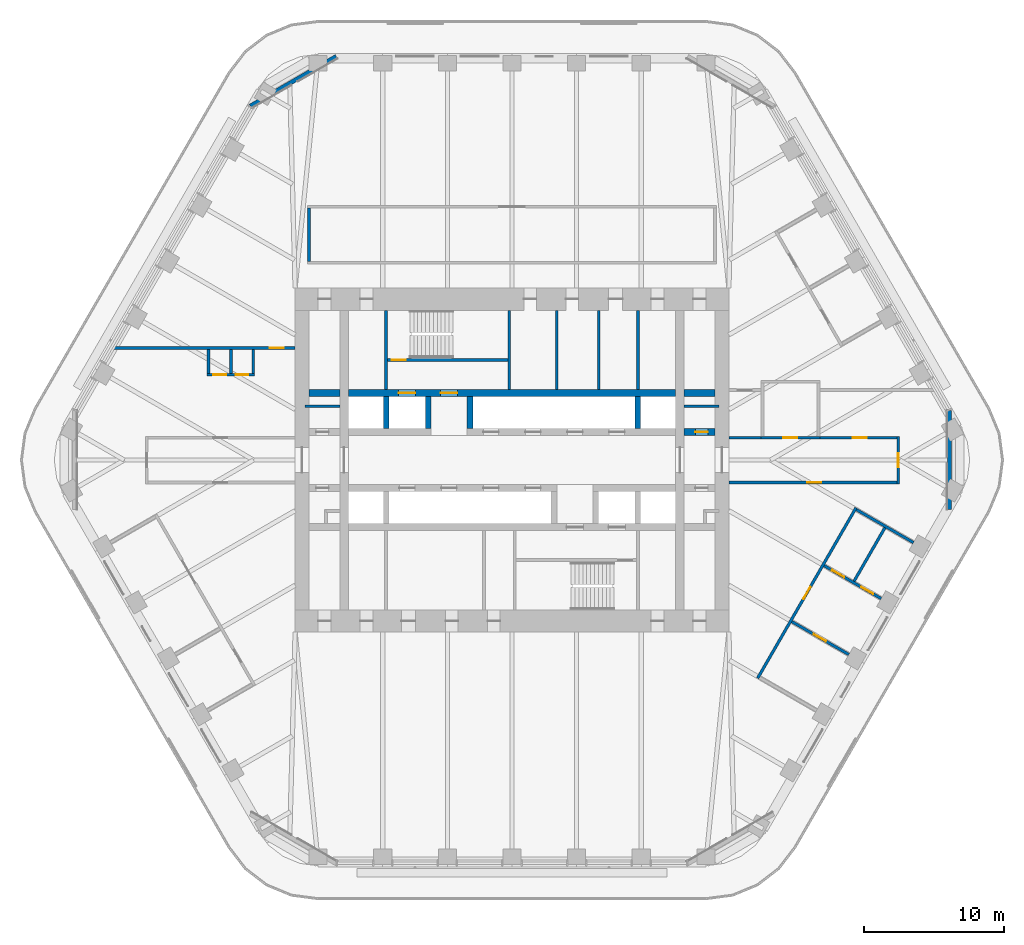
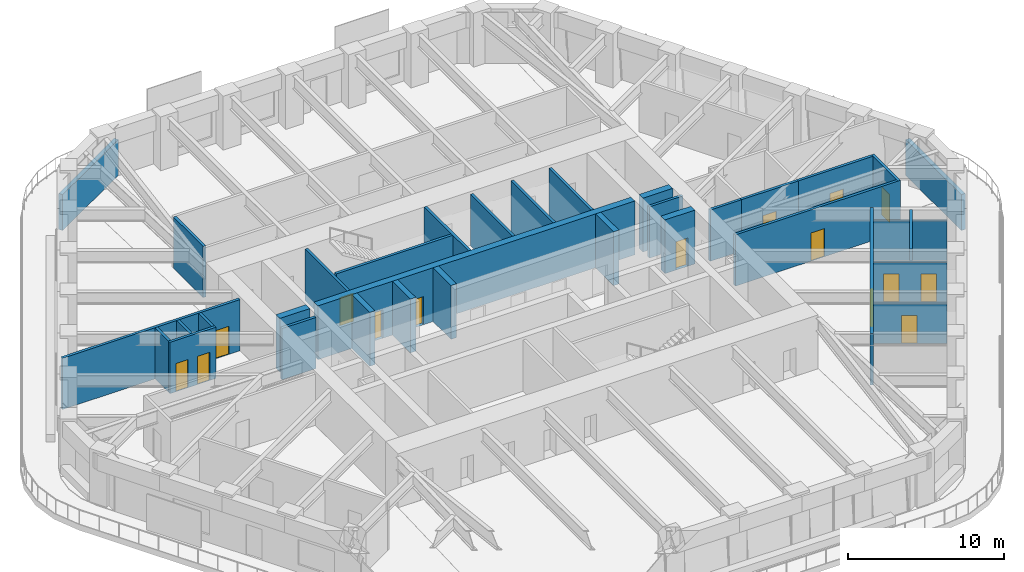
# One storey, part 16 of 20: 34 walls, 15 doors, 15 openings.
"""IFC4 building model written with IfcOpenShell, lengths in metres."""

from ifc_helpers import new_model, si_unit, direction, frame, frame_2d, origin, place, context, subcontext, project, spatial, rectangle, extrude, material, layer, layer_set, type_object, element, fill, save


model = new_model("IFC4")

# Units and contexts
model_context = context("Model", 3, precision=1e-05, world=origin(), true_north=direction((0.0, 1.0)))
body_context = subcontext(model_context, "Body", "Model", "MODEL_VIEW")
ifc_project = project(units=[si_unit("LENGTHUNIT", "METRE"), si_unit("AREAUNIT", "SQUARE_METRE"), si_unit("VOLUMEUNIT", "CUBIC_METRE"), si_unit("PLANEANGLEUNIT", "RADIAN"), si_unit("MASSUNIT", "GRAM", prefix="KILO")], contexts=[model_context])

# Site, building, storey
site_placement = place(None, origin())
site = spatial("IfcSite", under=ifc_project, at=site_placement, CompositionType="ELEMENT")
building_placement = place(site_placement, origin())
building = spatial("IfcBuilding", under=site, at=building_placement, Name="Tarfa Lantern Tower", CompositionType="ELEMENT")
storey_placement = place(building_placement, frame((0.0, 0.0, 244.89990234375)))
storey = spatial("IfcBuildingStorey", under=building, at=storey_placement, Name="L55", CompositionType="ELEMENT", Elevation=244.89990234375)

# Walls
ifc_material_1 = material(Name="Limestone cladding on blockwork", Category="masonry")
ifc_layer_1 = layer(ifc_material_1, 0.300048828125)
ifc_layer_set_1 = layer_set([ifc_layer_1], Name="EW1 STONE-CLAD WALL 300")
wall_type_1 = type_object("IfcWallType", Name="EW1 STONE-CLAD WALL 300", PredefinedType="SOLIDWALL", material=ifc_layer_set_1)
wall_1_placement = place(storey_placement, frame((-12.556396484375, 28.85009765625, 0.0), z_axis=(0.0, 0.0, 1.0), x_axis=(-0.866010973379, -0.500024993363, 0.0)))
element("IfcWall", 1, at=wall_1_placement, inside=storey, type_object=wall_type_1, Name="Garden wall N-NW", PredefinedType="SOLIDWALL", context=body_context, shape_type="SweptSolid", body=[
    extrude(rectangle(XDim=7.101806640625, YDim=0.300048828125, at=frame_2d((3.55078125, 0.0))), origin(), (0.0, 0.0, 1.0), 2.800048828125),
])
wall_2_placement = place(storey_placement, frame((31.262939453125, -3.55078125, 0.0), z_axis=(0.0, 0.0, 1.0), x_axis=(0.0, 1.0, 0.0)))
element("IfcWall", 2, at=wall_2_placement, inside=storey, type_object=wall_type_1, Name="Garden wall SE-NE", PredefinedType="SOLIDWALL", context=body_context, shape_type="SweptSolid", body=[
    extrude(rectangle(XDim=7.1015625, YDim=0.300048828125, at=frame_2d((3.55078125, 0.0))), origin(), (0.0, 0.0, 1.0), 2.800048828125),
])
ifc_material_2 = material(Name="Concrete blockwork", Category="masonry")
ifc_layer_2 = layer(ifc_material_2, 0.199951171875)
ifc_layer_set_2 = layer_set([ifc_layer_2], Name="IW1 BLOCKWORK PARTITION 200 EI 120")
wall_type_2 = type_object("IfcWallType", Name="IW1 BLOCKWORK PARTITION 200 EI 120", PredefinedType="PARTITIONING", material=ifc_layer_set_2)
for number, where, z_axis, x_axis, name in (
    (3, (-9.0, 5.050048828125, 0.0), (0.0, 0.0, 1.0), (0.0, 1.0, 0.0), "Core partition"),
    (4, (9.0, 5.050048828125, 0.0), (0.0, 0.0, 1.0), (0.0, 1.0, 0.0), "Core partition"),
    (5, (3.199951171875, 5.050048828125, 0.0), (0.0, 0.0, 1.0), (0.0, 1.0, 0.0), "Core partition"),
    (6, (6.199951171875, 5.050048828125, 0.0), (0.0, 0.0, 1.0), (0.0, 1.0, 0.0), "Core partition"),
):
    element("IfcWall", number, at=place(storey_placement, frame(where, z_axis=z_axis, x_axis=x_axis)), inside=storey, type_object=wall_type_2, Name=name, PredefinedType="PARTITIONING", context=body_context, shape_type="SweptSolid", body=[
        extrude(rectangle(XDim=5.64990234375, YDim=0.199951171875, at=frame_2d((2.824951171875, 0.0))), origin(), (0.0, 0.0, 1.0), 4.0),
    ])
for number, where, z_axis, x_axis, name in (
    (7, (-14.800048828125, 3.85009765625, 0.0), (0.0, 0.0, 1.0), (1.0, 0.0, 0.0), "Core partition"),
    (8, (12.300048828125, 3.85009765625, 0.0), (0.0, 0.0, 1.0), (1.0, 0.0, 0.0), "Core partition"),
):
    element("IfcWall", number, at=place(storey_placement, frame(where, z_axis=z_axis, x_axis=x_axis)), inside=storey, type_object=wall_type_2, Name=name, PredefinedType="PARTITIONING", context=body_context, shape_type="SweptSolid", body=[
        extrude(rectangle(XDim=2.5, YDim=0.199951171875, at=frame_2d((1.25, 0.0))), origin(), (0.0, 0.0, 1.0), 4.0),
    ])
ifc_material_3 = material(Name="Gypsum board on steel studs", Category="steel")
ifc_layer_3 = layer(ifc_material_3, 0.2099609375)
ifc_layer_set_3 = layer_set([ifc_layer_3], Name="IW2 ACOUSTIC PARTITION 200")
wall_type_3 = type_object("IfcWallType", Name="IW2 ACOUSTIC PARTITION 200", PredefinedType="PARTITIONING", material=ifc_layer_set_3)
wall_3_placement = place(storey_placement, frame((-14.5, 14.199951171875, 0.0), z_axis=(0.0, 0.0, 1.0), x_axis=(0.0, 1.0, 0.0)))
element("IfcWall", 9, at=wall_3_placement, inside=storey, type_object=wall_type_3, Name="Partition", PredefinedType="PARTITIONING", context=body_context, shape_type="SweptSolid", body=[
    extrude(rectangle(XDim=3.800048828125, YDim=0.199951171875, at=frame_2d((1.89990234375, 0.0))), origin(), (0.0, 0.0, 1.0), 4.0),
])

# Wall, opening, door
wall_4_placement = place(storey_placement, frame((17.55908203125, -15.586669921875, 0.0), z_axis=(0.0, 0.0, 1.0), x_axis=(0.500002095642, 0.866024193862, 0.0)))
wall_4 = element("IfcWall", 10, at=wall_4_placement, inside=storey, type_object=wall_type_3, Name="Partition", PredefinedType="PARTITIONING", context=body_context, shape_type="SweptSolid", body=[
    extrude(rectangle(XDim=14.056640625, YDim=0.199951171875, at=frame_2d((7.0283203125, 0.0))), origin(), (0.0, 0.0, 1.0), 4.0),
])
opening_1_placement = place(wall_4_placement, frame((6.5283203125, 0.0, 0.0)))
opening_1 = element("IfcOpeningElement", 11, at=opening_1_placement, cuts=wall_4, Name="Opening D31", PredefinedType="OPENING", context=body_context, shape_type="SweptSolid", body=[
    extrude(rectangle(XDim=1.0, YDim=2.199951171875, at=frame_2d((0.5, 1.10009765625))), frame((0.0, 0.10986328125, 0.0), z_axis=(0.0, -1.0, 0.0), x_axis=(1.0, 0.0, 0.0)), (0.0, 0.0, 1.0), 0.219970703125),
])
ifc_material_4 = material(Name="Timber door", Category="wood")
door_type_1 = type_object("IfcDoorType", Name="DR1 ROOM DOOR 1000x2200", OperationType="SINGLE_SWING_LEFT", PredefinedType="DOOR", material=ifc_material_4)
door_1_placement = place(opening_1_placement, frame((1.0, 0.0, 0.0), z_axis=(0.0, 0.0, 1.0), x_axis=(-1.0, 0.0, 0.0)))
door_1 = element("IfcDoor", 12, at=door_1_placement, inside=storey, type_object=door_type_1, Name="Secretariat reception door", OperationType="SINGLE_SWING_RIGHT", OverallHeight=2.199951171875, OverallWidth=1.0, PredefinedType="DOOR", context=body_context, shape_type="SweptSolid", body=[
    extrude(rectangle(XDim=1.0, YDim=2.199951171875, at=frame_2d((0.5, 1.10009765625))), frame((0.0, 0.02490234375, 0.0), z_axis=(0.0, -1.0, 0.0), x_axis=(1.0, 0.0, 0.0)), (0.0, 0.0, 1.0), 0.050048828125),
])
fill(opening_1, door_1)

wall_5_placement = place(storey_placement, frame((20.005126953125, -11.550048828125, 0.0), z_axis=(0.0, 0.0, 1.0), x_axis=(0.866038532462, -0.499977259774, 0.0)))
wall_5 = element("IfcWall", 13, at=wall_5_placement, inside=storey, type_object=wall_type_3, Name="Partition", PredefinedType="PARTITIONING", context=body_context, shape_type="SweptSolid", body=[
    extrude(rectangle(XDim=4.699951171875, YDim=0.199951171875, at=frame_2d((2.35009765625, 0.0))), origin(), (0.0, 0.0, 1.0), 3.081787109375),
])
opening_2_placement = place(wall_5_placement, frame((1.800048828125, 0.0, 0.0)))
opening_2 = element("IfcOpeningElement", 14, at=opening_2_placement, cuts=wall_5, Name="Opening D30", PredefinedType="OPENING", context=body_context, shape_type="SweptSolid", body=[
    extrude(rectangle(XDim=1.0, YDim=2.199951171875, at=frame_2d((0.5, 1.10009765625))), frame((0.0, 0.10986328125, 0.0), z_axis=(0.0, -1.0, 0.0), x_axis=(1.0, 0.0, 0.0)), (0.0, 0.0, 1.0), 0.219970703125),
])
door_2_placement = place(opening_2_placement, origin())
door_2 = element("IfcDoor", 15, at=door_2_placement, inside=storey, type_object=door_type_1, Name="Company secretary's office door", OperationType="SINGLE_SWING_RIGHT", OverallHeight=2.199951171875, OverallWidth=1.0, PredefinedType="DOOR", context=body_context, shape_type="SweptSolid", body=[
    extrude(rectangle(XDim=1.0, YDim=2.199951171875, at=frame_2d((0.5, 1.10009765625))), frame((0.0, 0.02490234375, 0.0), z_axis=(0.0, -1.0, 0.0), x_axis=(1.0, 0.0, 0.0)), (0.0, 0.0, 1.0), 0.050048828125),
])
fill(opening_2, door_2)

# Wall, openings, doors
wall_6_placement = place(storey_placement, frame((22.314697265625, -7.550048828125, 0.0), z_axis=(0.0, 0.0, 1.0), x_axis=(0.866038532462, -0.499977259774, 0.0)))
wall_6 = element("IfcWall", 16, at=wall_6_placement, inside=storey, type_object=wall_type_3, Name="Partition", PredefinedType="PARTITIONING", context=body_context, shape_type="SweptSolid", body=[
    extrude(rectangle(XDim=4.699951171875, YDim=0.199951171875, at=frame_2d((2.35009765625, 0.0))), origin(), (0.0, 0.0, 1.0), 3.081787109375),
])
opening_3_placement = place(wall_6_placement, frame((0.64990234375, 0.0, 0.0)))
opening_3 = element("IfcOpeningElement", 17, at=opening_3_placement, cuts=wall_6, Name="Opening D32", PredefinedType="OPENING", context=body_context, shape_type="SweptSolid", body=[
    extrude(rectangle(XDim=1.0, YDim=2.199951171875, at=frame_2d((0.5, 1.10009765625))), frame((0.0, 0.10986328125, 0.0), z_axis=(0.0, -1.0, 0.0), x_axis=(1.0, 0.0, 0.0)), (0.0, 0.0, 1.0), 0.219970703125),
])
opening_4_placement = place(wall_6_placement, frame((3.050048828125, 0.0, 0.0)))
opening_4 = element("IfcOpeningElement", 18, at=opening_4_placement, cuts=wall_6, Name="Opening D33", PredefinedType="OPENING", context=body_context, shape_type="SweptSolid", body=[
    extrude(rectangle(XDim=1.0, YDim=2.199951171875, at=frame_2d((0.5, 1.10009765625))), frame((0.0, 0.10986328125, 0.0), z_axis=(0.0, -1.0, 0.0), x_axis=(1.0, 0.0, 0.0)), (0.0, 0.0, 1.0), 0.219970703125),
])
door_3_placement = place(opening_3_placement, origin())
door_3 = element("IfcDoor", 19, at=door_3_placement, inside=storey, type_object=door_type_1, Name="Meeting room door", OperationType="SINGLE_SWING_RIGHT", OverallHeight=2.199951171875, OverallWidth=1.0, PredefinedType="DOOR", context=body_context, shape_type="SweptSolid", body=[
    extrude(rectangle(XDim=1.0, YDim=2.199951171875, at=frame_2d((0.5, 1.10009765625))), frame((0.0, 0.02490234375, 0.0), z_axis=(0.0, -1.0, 0.0), x_axis=(1.0, 0.0, 0.0)), (0.0, 0.0, 1.0), 0.050048828125),
])
fill(opening_3, door_3)
door_4_placement = place(opening_4_placement, origin())
door_4 = element("IfcDoor", 20, at=door_4_placement, inside=storey, type_object=door_type_1, Name="File room door", OperationType="SINGLE_SWING_RIGHT", OverallHeight=2.199951171875, OverallWidth=1.0, PredefinedType="DOOR", context=body_context, shape_type="SweptSolid", body=[
    extrude(rectangle(XDim=1.0, YDim=2.199951171875, at=frame_2d((0.5, 1.10009765625))), frame((0.0, 0.02490234375, 0.0), z_axis=(0.0, -1.0, 0.0), x_axis=(1.0, 0.0, 0.0)), (0.0, 0.0, 1.0), 0.050048828125),
])
fill(opening_4, door_4)

# Walls
wall_7_placement = place(storey_placement, frame((24.6240234375, -3.550048828125, 0.0), z_axis=(0.0, 0.0, 1.0), x_axis=(0.866038532462, -0.499977259774, 0.0)))
element("IfcWall", 21, at=wall_7_placement, inside=storey, type_object=wall_type_3, Name="Partition", PredefinedType="PARTITIONING", context=body_context, shape_type="SweptSolid", body=[
    extrude(rectangle(XDim=4.699951171875, YDim=0.199951171875, at=frame_2d((2.35009765625, 0.0))), origin(), (0.0, 0.0, 1.0), 3.081787109375),
])
wall_8_placement = place(storey_placement, frame((24.443115234375, -8.663330078125, 0.0), z_axis=(0.0, 0.0, 1.0), x_axis=(0.499983916363, 0.866034689477, 0.0)))
element("IfcWall", 22, at=wall_8_placement, inside=storey, type_object=wall_type_3, Name="Partition", PredefinedType="PARTITIONING", context=body_context, shape_type="SweptSolid", body=[
    extrude(rectangle(XDim=4.418701171875, YDim=0.199951171875, at=frame_2d((2.20947265625, 0.0))), origin(), (0.0, 0.0, 1.0), 4.0),
])

# Wall, opening, door
wall_9_placement = place(storey_placement, frame((17.800048828125, 1.60009765625, 0.0), z_axis=(0.0, 0.0, 1.0), x_axis=(1.0, 0.0, 0.0)))
wall_9 = element("IfcWall", 23, at=wall_9_placement, inside=storey, type_object=wall_type_3, Name="Partition", PredefinedType="PARTITIONING", context=body_context, shape_type="SweptSolid", body=[
    extrude(rectangle(XDim=4.199951171875, YDim=0.199951171875, at=frame_2d((2.10009765625, 0.0))), origin(), (0.0, 0.0, 1.0), 4.0),
])
opening_5_placement = place(wall_9_placement, frame((1.60009765625, 0.0, 0.0)))
opening_5 = element("IfcOpeningElement", 24, at=opening_5_placement, cuts=wall_9, Name="Opening D27", PredefinedType="OPENING", context=body_context, shape_type="SweptSolid", body=[
    extrude(rectangle(XDim=1.0, YDim=2.199951171875, at=frame_2d((0.5, 1.10009765625))), frame((0.0, 0.10986328125, 0.0), z_axis=(0.0, -1.0, 0.0), x_axis=(1.0, 0.0, 0.0)), (0.0, 0.0, 1.0), 0.219970703125),
])
door_5_placement = place(opening_5_placement, origin())
door_5 = element("IfcDoor", 25, at=door_5_placement, inside=storey, type_object=door_type_1, Name="Pantry door", OperationType="SINGLE_SWING_LEFT", OverallHeight=2.199951171875, OverallWidth=1.0, PredefinedType="DOOR", context=body_context, shape_type="SweptSolid", body=[
    extrude(rectangle(XDim=1.0, YDim=2.199951171875, at=frame_2d((0.5, 1.10009765625))), frame((0.0, 0.02490234375, 0.0), z_axis=(0.0, -1.0, 0.0), x_axis=(1.0, 0.0, 0.0)), (0.0, 0.0, 1.0), 0.050048828125),
])
fill(opening_5, door_5)

# Wall
wall_10_placement = place(storey_placement, frame((15.5, 1.60009765625, 0.0), z_axis=(0.0, 0.0, 1.0), x_axis=(1.0, 0.0, 0.0)))
element("IfcWall", 26, at=wall_10_placement, inside=storey, type_object=wall_type_3, Name="Partition", PredefinedType="PARTITIONING", context=body_context, shape_type="SweptSolid", body=[
    extrude(rectangle(XDim=2.300048828125, YDim=0.199951171875, at=frame_2d((1.14990234375, 0.0))), origin(), (0.0, 0.0, 1.0), 4.0),
])

# Wall, opening, door
wall_11_placement = place(storey_placement, frame((22.0, 1.60009765625, 0.0), z_axis=(0.0, 0.0, 1.0), x_axis=(1.0, 0.0, 0.0)))
wall_11 = element("IfcWall", 27, at=wall_11_placement, inside=storey, type_object=wall_type_3, Name="Partition", PredefinedType="PARTITIONING", context=body_context, shape_type="SweptSolid", body=[
    extrude(rectangle(XDim=5.699951171875, YDim=0.199951171875, at=frame_2d((2.85009765625, 0.0))), origin(), (0.0, 0.0, 1.0), 4.0),
])
opening_6_placement = place(wall_11_placement, frame((2.35009765625, 0.0, 0.0)))
opening_6 = element("IfcOpeningElement", 28, at=opening_6_placement, cuts=wall_11, Name="Opening D40", PredefinedType="OPENING", context=body_context, shape_type="SweptSolid", body=[
    extrude(rectangle(XDim=1.0, YDim=2.199951171875, at=frame_2d((0.5, 1.10009765625))), frame((0.0, 0.10986328125, 0.0), z_axis=(0.0, -1.0, 0.0), x_axis=(1.0, 0.0, 0.0)), (0.0, 0.0, 1.0), 0.219970703125),
])
door_6_placement = place(opening_6_placement, origin())
door_6 = element("IfcDoor", 29, at=door_6_placement, inside=storey, type_object=door_type_1, Name="Corridor door", OperationType="SINGLE_SWING_RIGHT", OverallHeight=2.199951171875, OverallWidth=1.0, PredefinedType="DOOR", context=body_context, shape_type="SweptSolid", body=[
    extrude(rectangle(XDim=1.0, YDim=2.199951171875, at=frame_2d((0.5, 1.10009765625))), frame((0.0, 0.02490234375, 0.0), z_axis=(0.0, -1.0, 0.0), x_axis=(1.0, 0.0, 0.0)), (0.0, 0.0, 1.0), 0.050048828125),
])
fill(opening_6, door_6)

wall_12_placement = place(storey_placement, frame((15.5, -1.60009765625, 0.0), z_axis=(0.0, 0.0, 1.0), x_axis=(1.0, 0.0, 0.0)))
wall_12 = element("IfcWall", 30, at=wall_12_placement, inside=storey, type_object=wall_type_3, Name="Partition", PredefinedType="PARTITIONING", context=body_context, shape_type="SweptSolid", body=[
    extrude(rectangle(XDim=12.199951171875, YDim=0.199951171875, at=frame_2d((6.10009765625, 0.0))), origin(), (0.0, 0.0, 1.0), 4.0),
])
opening_7_placement = place(wall_12_placement, frame((5.60009765625, 0.0, 0.0)))
opening_7 = element("IfcOpeningElement", 31, at=opening_7_placement, cuts=wall_12, Name="Opening D41", PredefinedType="OPENING", context=body_context, shape_type="SweptSolid", body=[
    extrude(rectangle(XDim=1.0, YDim=2.199951171875, at=frame_2d((0.5, 1.10009765625))), frame((0.0, 0.10986328125, 0.0), z_axis=(0.0, -1.0, 0.0), x_axis=(1.0, 0.0, 0.0)), (0.0, 0.0, 1.0), 0.219970703125),
])
door_7_placement = place(opening_7_placement, frame((1.0, 0.0, 0.0), z_axis=(0.0, 0.0, 1.0), x_axis=(-1.0, 0.0, 0.0)))
door_7 = element("IfcDoor", 32, at=door_7_placement, inside=storey, type_object=door_type_1, Name="Corridor door", OperationType="SINGLE_SWING_LEFT", OverallHeight=2.199951171875, OverallWidth=1.0, PredefinedType="DOOR", context=body_context, shape_type="SweptSolid", body=[
    extrude(rectangle(XDim=1.0, YDim=2.199951171875, at=frame_2d((0.5, 1.10009765625))), frame((0.0, 0.02490234375, 0.0), z_axis=(0.0, -1.0, 0.0), x_axis=(1.0, 0.0, 0.0)), (0.0, 0.0, 1.0), 0.050048828125),
])
fill(opening_7, door_7)

wall_13_placement = place(storey_placement, frame((27.60009765625, -1.699951171875, 0.0), z_axis=(0.0, 0.0, 1.0), x_axis=(0.0, 1.0, 0.0)))
wall_13 = element("IfcWall", 33, at=wall_13_placement, inside=storey, type_object=wall_type_3, Name="Partition", PredefinedType="PARTITIONING", context=body_context, shape_type="SweptSolid", body=[
    extrude(rectangle(XDim=3.39990234375, YDim=0.199951171875, at=frame_2d((1.699951171875, 0.0))), origin(), (0.0, 0.0, 1.0), 4.0),
])
opening_8_placement = place(wall_13_placement, frame((1.199951171875, 0.0, 0.0)))
opening_8 = element("IfcOpeningElement", 34, at=opening_8_placement, cuts=wall_13, Name="Opening D39", PredefinedType="OPENING", context=body_context, shape_type="SweptSolid", body=[
    extrude(rectangle(XDim=1.0, YDim=2.199951171875, at=frame_2d((0.5, 1.10009765625))), frame((0.0, 0.10986328125, 0.0), z_axis=(0.0, -1.0, 0.0), x_axis=(1.0, 0.0, 0.0)), (0.0, 0.0, 1.0), 0.219970703125),
])
door_8_placement = place(opening_8_placement, frame((1.0, 0.0, 0.0), z_axis=(0.0, 0.0, 1.0), x_axis=(-1.0, 0.0, 0.0)))
door_8 = element("IfcDoor", 35, at=door_8_placement, inside=storey, type_object=door_type_1, Name="Corridor door", OperationType="SINGLE_SWING_LEFT", OverallHeight=2.199951171875, OverallWidth=1.0, PredefinedType="DOOR", context=body_context, shape_type="SweptSolid", body=[
    extrude(rectangle(XDim=1.0, YDim=2.199951171875, at=frame_2d((0.5, 1.10009765625))), frame((0.0, 0.02490234375, 0.0), z_axis=(0.0, -1.0, 0.0), x_axis=(1.0, 0.0, 0.0)), (0.0, 0.0, 1.0), 0.050048828125),
])
fill(opening_8, door_8)

wall_14_placement = place(storey_placement, frame((-15.5, 8.0, 0.0), z_axis=(0.0, 0.0, 1.0), x_axis=(-1.0, 0.0, 0.0)))
wall_14 = element("IfcWall", 36, at=wall_14_placement, inside=storey, type_object=wall_type_3, Name="Partition", PredefinedType="PARTITIONING", context=body_context, shape_type="SweptSolid", body=[
    extrude(rectangle(XDim=13.11328125, YDim=0.199951171875, at=frame_2d((6.556640625, 0.0))), origin(), (0.0, 0.0, 1.0), 4.0),
])
opening_9_placement = place(wall_14_placement, frame((0.811279296875, 0.0, 0.0)))
opening_9 = element("IfcOpeningElement", 37, at=opening_9_placement, cuts=wall_14, Name="Opening D46", PredefinedType="OPENING", context=body_context, shape_type="SweptSolid", body=[
    extrude(rectangle(XDim=1.0, YDim=2.199951171875, at=frame_2d((0.5, 1.10009765625))), frame((0.0, 0.10986328125, 0.0), z_axis=(0.0, -1.0, 0.0), x_axis=(1.0, 0.0, 0.0)), (0.0, 0.0, 1.0), 0.219970703125),
])
door_9_placement = place(opening_9_placement, frame((1.0, 0.0, 0.0), z_axis=(0.0, 0.0, 1.0), x_axis=(-1.0, 0.0, 0.0)))
door_9 = element("IfcDoor", 38, at=door_9_placement, inside=storey, type_object=door_type_1, Name="Zone door", OperationType="SINGLE_SWING_LEFT", OverallHeight=2.199951171875, OverallWidth=1.0, PredefinedType="DOOR", context=body_context, shape_type="SweptSolid", body=[
    extrude(rectangle(XDim=1.0, YDim=2.199951171875, at=frame_2d((0.5, 1.10009765625))), frame((0.0, 0.02490234375, 0.0), z_axis=(0.0, -1.0, 0.0), x_axis=(1.0, 0.0, 0.0)), (0.0, 0.0, 1.0), 0.050048828125),
])
fill(opening_9, door_9)

# Wall, openings, doors
wall_15_placement = place(storey_placement, frame((-18.3896484375, 6.10009765625, 0.0), z_axis=(0.0, 0.0, 1.0), x_axis=(-1.0, 0.0, 0.0)))
wall_15 = element("IfcWall", 39, at=wall_15_placement, inside=storey, type_object=wall_type_3, Name="Partition", PredefinedType="PARTITIONING", context=body_context, shape_type="SweptSolid", body=[
    extrude(rectangle(XDim=3.400146484375, YDim=0.199951171875, at=frame_2d((1.7001953125, 0.0))), origin(), (0.0, 0.0, 1.0), 4.0),
])
opening_10_placement = place(wall_15_placement, frame((0.449951171875, 0.0, 0.0)))
opening_10 = element("IfcOpeningElement", 40, at=opening_10_placement, cuts=wall_15, Name="Opening D37", PredefinedType="OPENING", context=body_context, shape_type="SweptSolid", body=[
    extrude(rectangle(XDim=0.89990234375, YDim=2.199951171875, at=frame_2d((0.449951171875, 1.10009765625))), frame((0.0, 0.10986328125, 0.0), z_axis=(0.0, -1.0, 0.0), x_axis=(1.0, 0.0, 0.0)), (0.0, 0.0, 1.0), 0.219970703125),
])
opening_11_placement = place(wall_15_placement, frame((2.050048828125, 0.0, 0.0)))
opening_11 = element("IfcOpeningElement", 41, at=opening_11_placement, cuts=wall_15, Name="Opening D38", PredefinedType="OPENING", context=body_context, shape_type="SweptSolid", body=[
    extrude(rectangle(XDim=0.89990234375, YDim=2.199951171875, at=frame_2d((0.449951171875, 1.10009765625))), frame((0.0, 0.10986328125, 0.0), z_axis=(0.0, -1.0, 0.0), x_axis=(1.0, 0.0, 0.0)), (0.0, 0.0, 1.0), 0.219970703125),
])
door_type_2 = type_object("IfcDoorType", Name="DR3 ROOM DOOR 900x2200", OperationType="SINGLE_SWING_LEFT", PredefinedType="DOOR", material=ifc_material_4)
door_10_placement = place(opening_10_placement, frame((0.89990234375, 0.0, 0.0), z_axis=(0.0, 0.0, 1.0), x_axis=(-1.0, 0.0, 0.0)))
door_10 = element("IfcDoor", 42, at=door_10_placement, inside=storey, type_object=door_type_2, Name="Phone booth door", OperationType="SINGLE_SWING_LEFT", OverallHeight=2.199951171875, OverallWidth=0.89990234375, PredefinedType="DOOR", context=body_context, shape_type="SweptSolid", body=[
    extrude(rectangle(XDim=0.89990234375, YDim=2.199951171875, at=frame_2d((0.449951171875, 1.10009765625))), frame((0.0, 0.02490234375, 0.0), z_axis=(0.0, -1.0, 0.0), x_axis=(1.0, 0.0, 0.0)), (0.0, 0.0, 1.0), 0.050048828125),
])
fill(opening_10, door_10)
door_11_placement = place(opening_11_placement, frame((0.89990234375, 0.0, 0.0), z_axis=(0.0, 0.0, 1.0), x_axis=(-1.0, 0.0, 0.0)))
door_11 = element("IfcDoor", 43, at=door_11_placement, inside=storey, type_object=door_type_2, Name="Phone booth door", OperationType="SINGLE_SWING_RIGHT", OverallHeight=2.199951171875, OverallWidth=0.89990234375, PredefinedType="DOOR", context=body_context, shape_type="SweptSolid", body=[
    extrude(rectangle(XDim=0.89990234375, YDim=2.199951171875, at=frame_2d((0.449951171875, 1.10009765625))), frame((0.0, 0.02490234375, 0.0), z_axis=(0.0, -1.0, 0.0), x_axis=(1.0, 0.0, 0.0)), (0.0, 0.0, 1.0), 0.050048828125),
])
fill(opening_11, door_11)

# Walls
for number, where, z_axis, x_axis, name in (
    (44, (-18.48974609375, 7.89990234375, 0.0), (0.0, 0.0, 1.0), (0.0, -1.0, 0.0), "Partition"),
    (45, (-20.089599609375, 7.89990234375, 0.0), (0.0, 0.0, 1.0), (0.0, -1.0, 0.0), "Partition"),
    (46, (-21.689697265625, 7.89990234375, 0.0), (0.0, 0.0, 1.0), (0.0, -1.0, 0.0), "Partition"),
):
    element("IfcWall", number, at=place(storey_placement, frame(where, z_axis=z_axis, x_axis=x_axis)), inside=storey, type_object=wall_type_3, Name=name, PredefinedType="PARTITIONING", context=body_context, shape_type="SweptSolid", body=[
        extrude(rectangle(XDim=1.699951171875, YDim=0.199951171875, at=frame_2d((0.85009765625, 0.0))), origin(), (0.0, 0.0, 1.0), 4.0),
    ])
ifc_material_5 = material(Name="Concrete C80/95", Category="concrete")
ifc_layer_4 = layer(ifc_material_5, 0.199951171875)
ifc_layer_set_4 = layer_set([ifc_layer_4], Name="SW12 CORE WALL 200")
wall_type_4 = type_object("IfcWallType", Name="SW12 CORE WALL 200", PredefinedType="SHEAR", material=ifc_layer_set_4)
wall_16_placement = place(storey_placement, frame((-0.199951171875, 5.050048828125, 0.0), z_axis=(0.0, 0.0, 1.0), x_axis=(0.0, 1.0, 0.0)))
element("IfcWall", 47, at=wall_16_placement, inside=storey, type_object=wall_type_4, Name="Core wall stair shaft N", PredefinedType="SHEAR", context=body_context, shape_type="SweptSolid", body=[
    extrude(rectangle(XDim=5.64990234375, YDim=0.199951171875, at=frame_2d((2.824951171875, 0.0))), origin(), (0.0, 0.0, 1.0), 4.2001953125),
])

# Wall, opening, door
wall_17_placement = place(storey_placement, frame((-8.89990234375, 7.14990234375, 0.0), z_axis=(0.0, 0.0, 1.0), x_axis=(1.0, 0.0, 0.0)))
wall_17 = element("IfcWall", 48, at=wall_17_placement, inside=storey, type_object=wall_type_4, Name="Core wall stair partition N", PredefinedType="SHEAR", context=body_context, shape_type="SweptSolid", body=[
    extrude(rectangle(XDim=8.599853515625, YDim=0.199951171875, at=frame_2d((4.2998046875, 0.0))), origin(), (0.0, 0.0, 1.0), 4.2001953125),
])
opening_12_placement = place(wall_17_placement, frame((0.300048828125, 0.0, 0.0)))
opening_12 = element("IfcOpeningElement", 49, at=opening_12_placement, cuts=wall_17, Name="Opening D23", PredefinedType="OPENING", context=body_context, shape_type="SweptSolid", body=[
    extrude(rectangle(XDim=1.0, YDim=2.199951171875, at=frame_2d((0.5, 1.10009765625))), frame((0.0, 0.10986328125, 0.0), z_axis=(0.0, -1.0, 0.0), x_axis=(1.0, 0.0, 0.0)), (0.0, 0.0, 1.0), 0.219970703125),
])
ifc_material_6 = material(Name="Steel fire door", Category="steel")
door_type_3 = type_object("IfcDoorType", Name="DF2 STAIR DOOR 1000x2200", OperationType="SINGLE_SWING_LEFT", PredefinedType="DOOR", material=ifc_material_6)
door_12_placement = place(opening_12_placement, origin())
door_12 = element("IfcDoor", 50, at=door_12_placement, inside=storey, type_object=door_type_3, Name="Stair door", OperationType="SINGLE_SWING_RIGHT", OverallHeight=2.199951171875, OverallWidth=1.0, PredefinedType="DOOR", context=body_context, shape_type="SweptSolid", body=[
    extrude(rectangle(XDim=1.0, YDim=2.199951171875, at=frame_2d((0.5, 1.10009765625))), frame((0.0, 0.02490234375, 0.0), z_axis=(0.0, -1.0, 0.0), x_axis=(1.0, 0.0, 0.0)), (0.0, 0.0, 1.0), 0.050048828125),
])
fill(opening_12, door_12)

ifc_layer_5 = layer(ifc_material_5, 0.5)
ifc_layer_set_5 = layer_set([ifc_layer_5], Name="SW5 CORE WALL 500")
wall_type_5 = type_object("IfcWallType", Name="SW5 CORE WALL 500", PredefinedType="SHEAR", material=ifc_layer_set_5)
wall_18_placement = place(storey_placement, frame((12.300048828125, 2.0, 0.0), z_axis=(0.0, 0.0, 1.0), x_axis=(1.0, 0.0, 0.0)))
wall_18 = element("IfcWall", 51, at=wall_18_placement, inside=storey, type_object=wall_type_5, Name="Core wall lobby east N", PredefinedType="SHEAR", context=body_context, shape_type="SweptSolid", body=[
    extrude(rectangle(XDim=2.199951171875, YDim=0.5, at=frame_2d((1.10009765625, 0.0))), origin(), (0.0, 0.0, 1.0), 4.2001953125),
])
opening_13_placement = place(wall_18_placement, frame((0.800048828125, 0.0, 0.0)))
opening_13 = element("IfcOpeningElement", 52, at=opening_13_placement, cuts=wall_18, Name="Opening D13", PredefinedType="OPENING", context=body_context, shape_type="SweptSolid", body=[
    extrude(rectangle(XDim=0.89990234375, YDim=2.199951171875, at=frame_2d((0.449951171875, 1.10009765625))), frame((0.0, 0.260009765625, 0.0), z_axis=(0.0, -1.0, 0.0), x_axis=(1.0, 0.0, 0.0)), (0.0, 0.0, 1.0), 0.52001953125),
])
door_type_4 = type_object("IfcDoorType", Name="DF6 SERVICE ROOM DOOR 900x2200", OperationType="SINGLE_SWING_LEFT", PredefinedType="DOOR", material=ifc_material_6)
door_13_placement = place(opening_13_placement, origin())
door_13 = element("IfcDoor", 53, at=door_13_placement, inside=storey, type_object=door_type_4, Name="Service room door", OperationType="SINGLE_SWING_LEFT", OverallHeight=2.199951171875, OverallWidth=0.89990234375, PredefinedType="DOOR", context=body_context, shape_type="SweptSolid", body=[
    extrude(rectangle(XDim=0.89990234375, YDim=2.199951171875, at=frame_2d((0.449951171875, 1.10009765625))), frame((0.0, 0.02490234375, 0.0), z_axis=(0.0, -1.0, 0.0), x_axis=(1.0, 0.0, 0.0)), (0.0, 0.0, 1.0), 0.050048828125),
])
fill(opening_13, door_13)

# Wall
wall_19_placement = place(storey_placement, frame((-14.5, 4.800048828125, 0.0), z_axis=(0.0, 0.0, 1.0), x_axis=(1.0, 0.0, 0.0)))
element("IfcWall", 54, at=wall_19_placement, inside=storey, type_object=wall_type_5, Name="Core wall rear N", PredefinedType="SHEAR", context=body_context, shape_type="SweptSolid", body=[
    extrude(rectangle(XDim=2.199951171875, YDim=0.5, at=frame_2d((1.10009765625, 0.0))), origin(), (0.0, 0.0, 1.0), 4.2001953125),
])

# Wall, openings, doors
wall_20_placement = place(storey_placement, frame((-11.699951171875, 4.800048828125, 0.0), z_axis=(0.0, 0.0, 1.0), x_axis=(1.0, 0.0, 0.0)))
wall_20 = element("IfcWall", 55, at=wall_20_placement, inside=storey, type_object=wall_type_5, Name="Core wall rear N", PredefinedType="SHEAR", context=body_context, shape_type="SweptSolid", body=[
    extrude(rectangle(XDim=23.39990234375, YDim=0.5, at=frame_2d((11.699951171875, 0.0))), origin(), (0.0, 0.0, 1.0), 4.2001953125),
])
opening_14_placement = place(wall_20_placement, frame((6.60009765625, 0.0, 0.0)))
opening_14 = element("IfcOpeningElement", 56, at=opening_14_placement, cuts=wall_20, Name="Opening D09", PredefinedType="OPENING", context=body_context, shape_type="SweptSolid", body=[
    extrude(rectangle(XDim=1.199951171875, YDim=2.199951171875, at=frame_2d((0.60009765625, 1.10009765625))), frame((0.0, 0.260009765625, 0.0), z_axis=(0.0, -1.0, 0.0), x_axis=(1.0, 0.0, 0.0)), (0.0, 0.0, 1.0), 0.52001953125),
])
opening_15_placement = place(wall_20_placement, frame((3.60009765625, 0.0, 0.0)))
opening_15 = element("IfcOpeningElement", 57, at=opening_15_placement, cuts=wall_20, Name="Opening LD01", PredefinedType="OPENING", context=body_context, shape_type="SweptSolid", body=[
    extrude(rectangle(XDim=1.199951171875, YDim=2.199951171875, at=frame_2d((0.60009765625, 1.10009765625))), frame((0.0, 0.260009765625, 0.0), z_axis=(0.0, -1.0, 0.0), x_axis=(1.0, 0.0, 0.0)), (0.0, 0.0, 1.0), 0.52001953125),
])
door_type_5 = type_object("IfcDoorType", Name="DF1 FIREFIGHTING LOBBY DOOR 1200x2200", OperationType="SINGLE_SWING_LEFT", PredefinedType="DOOR", material=ifc_material_6)
door_14_placement = place(opening_14_placement, origin())
door_14 = element("IfcDoor", 58, at=door_14_placement, inside=storey, type_object=door_type_5, Name="Firefighting lobby door", OperationType="SINGLE_SWING_LEFT", OverallHeight=2.199951171875, OverallWidth=1.199951171875, PredefinedType="DOOR", context=body_context, shape_type="SweptSolid", body=[
    extrude(rectangle(XDim=1.199951171875, YDim=2.199951171875, at=frame_2d((0.60009765625, 1.10009765625))), frame((0.0, 0.02490234375, 0.0), z_axis=(0.0, -1.0, 0.0), x_axis=(1.0, 0.0, 0.0)), (0.0, 0.0, 1.0), 0.050048828125),
])
fill(opening_14, door_14)
ifc_material_7 = material(Name="Stainless steel lift door", Category="steel")
door_type_6 = type_object("IfcDoorType", Name="LD1 LIFT LANDING DOOR 1200x2200", OperationType="SLIDING_TO_LEFT", PredefinedType="DOOR", material=ifc_material_7)
door_15_placement = place(opening_15_placement, origin())
door_15 = element("IfcDoor", 59, at=door_15_placement, inside=storey, type_object=door_type_6, Name="Landing door FL1", OperationType="SLIDING_TO_LEFT", OverallHeight=2.199951171875, OverallWidth=1.199951171875, PredefinedType="DOOR", context=body_context, shape_type="SweptSolid", body=[
    extrude(rectangle(XDim=1.199951171875, YDim=2.199951171875, at=frame_2d((0.60009765625, 1.10009765625))), frame((0.0, 0.02490234375, 0.0), z_axis=(0.0, -1.0, 0.0), x_axis=(1.0, 0.0, 0.0)), (0.0, 0.0, 1.0), 0.050048828125),
])
fill(opening_15, door_15)

# Walls
wall_21_placement = place(storey_placement, frame((12.300048828125, 4.800048828125, 0.0), z_axis=(0.0, 0.0, 1.0), x_axis=(1.0, 0.0, 0.0)))
element("IfcWall", 60, at=wall_21_placement, inside=storey, type_object=wall_type_5, Name="Core wall rear N", PredefinedType="SHEAR", context=body_context, shape_type="SweptSolid", body=[
    extrude(rectangle(XDim=2.199951171875, YDim=0.5, at=frame_2d((1.10009765625, 0.0))), origin(), (0.0, 0.0, 1.0), 4.2001953125),
])
ifc_layer_6 = layer(ifc_material_5, 0.39990234375)
ifc_layer_set_6 = layer_set([ifc_layer_6], Name="SW6 CORE WALL 400")
wall_type_6 = type_object("IfcWallType", Name="SW6 CORE WALL 400", PredefinedType="SHEAR", material=ifc_layer_set_6)
for number, where, z_axis, x_axis, name in (
    (61, (-9.0, 2.25, 0.0), (0.0, 0.0, 1.0), (0.0, 1.0, 0.0), "Core wall divider N"),
    (62, (-6.0, 2.25, 0.0), (0.0, 0.0, 1.0), (0.0, 1.0, 0.0), "Core wall divider N"),
    (63, (-3.0, 2.25, 0.0), (0.0, 0.0, 1.0), (0.0, 1.0, 0.0), "Core wall divider N"),
    (64, (9.0, 2.25, 0.0), (0.0, 0.0, 1.0), (0.0, 1.0, 0.0), "Core wall divider N"),
):
    element("IfcWall", number, at=place(storey_placement, frame(where, z_axis=z_axis, x_axis=x_axis)), inside=storey, type_object=wall_type_6, Name=name, PredefinedType="SHEAR", context=body_context, shape_type="SweptSolid", body=[
        extrude(rectangle(XDim=2.300048828125, YDim=0.39990234375, at=frame_2d((1.14990234375, 0.0))), origin(), (0.0, 0.0, 1.0), 4.2001953125),
    ])

save(model, "model.ifc")
